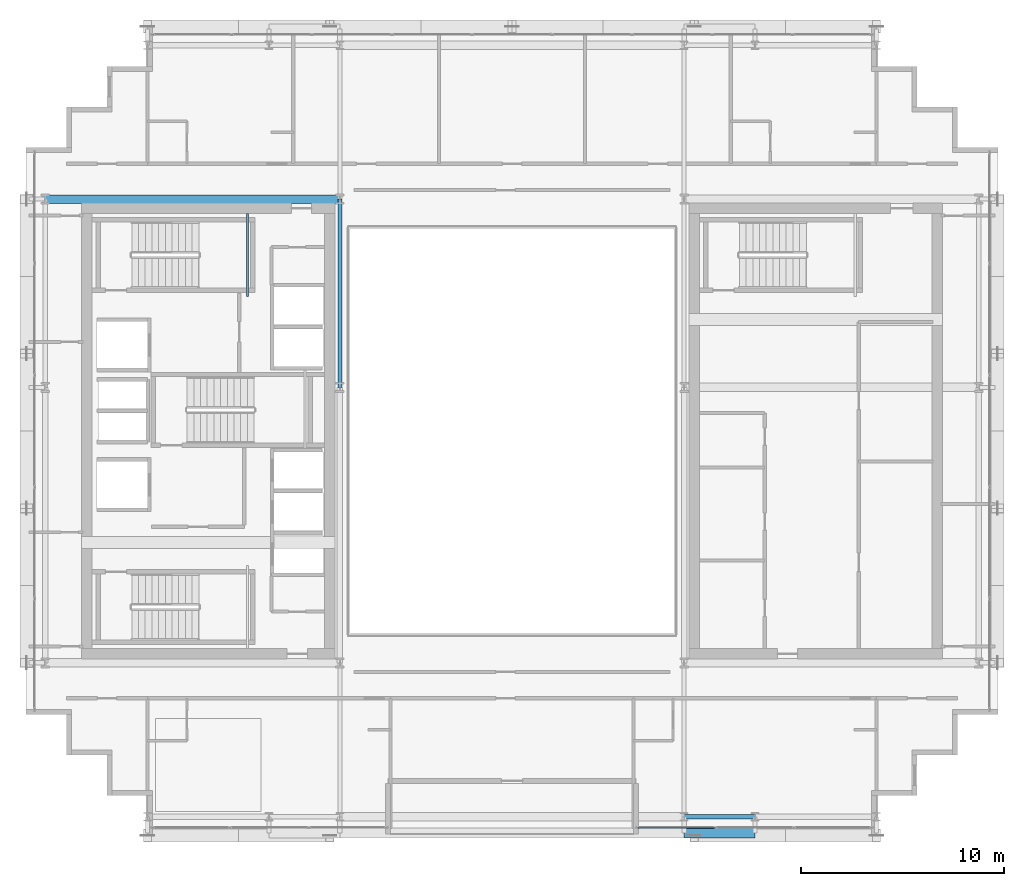
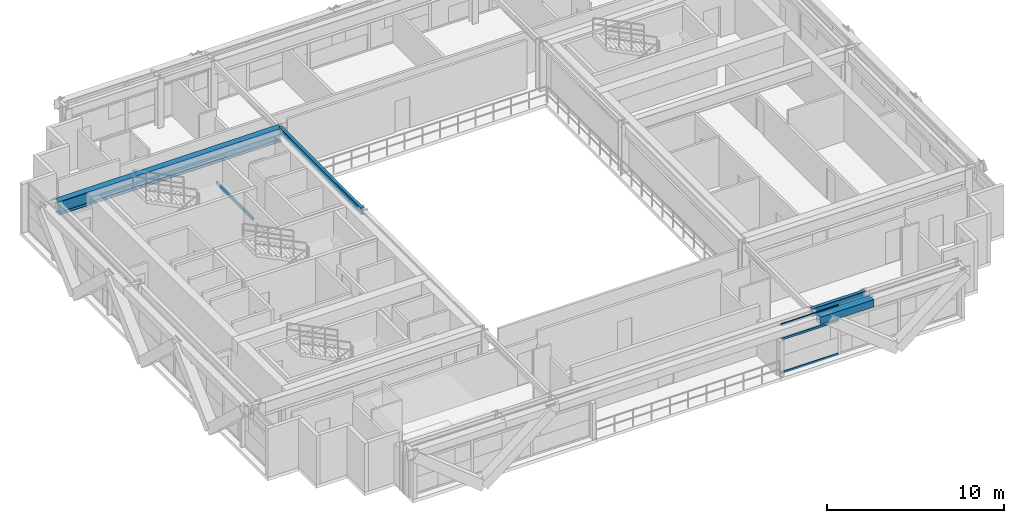
# One storey, part 9 of 31: 5 beams, 3 members, 1 element without a shape of its own.
"""IFC4 building model written with IfcOpenShell, lengths in metres."""

from ifc_helpers import new_model, si_unit, direction, frame, origin, origin_2d, place, context, subcontext, project, spatial, hollow_rectangle, i_section, extrude, source, transform, mapped, material, layer, layer_set, material_profile, profile_set, type_object, element, aggregate, save


model = new_model("IFC4")

# Units and contexts
model_context = context("Model", 3, precision=1e-05, world=origin(), true_north=direction((0.0, 1.0)))
body_context = subcontext(model_context, "Body", "Model", "MODEL_VIEW")
ifc_project = project(units=[si_unit("LENGTHUNIT", "METRE"), si_unit("AREAUNIT", "SQUARE_METRE"), si_unit("VOLUMEUNIT", "CUBIC_METRE"), si_unit("PLANEANGLEUNIT", "RADIAN"), si_unit("MASSUNIT", "GRAM", prefix="KILO")], contexts=[model_context])

# Site, building, storey
site_placement = place(None, origin())
site = spatial("IfcSite", under=ifc_project, at=site_placement, CompositionType="ELEMENT")
building_placement = place(site_placement, origin())
building = spatial("IfcBuilding", under=site, at=building_placement, Name="Ocotamira Hotel", CompositionType="ELEMENT")
storey_placement = place(building_placement, frame((0.0, 0.0, 199.199951171875)))
storey = spatial("IfcBuildingStorey", under=building, at=storey_placement, Name="L50", CompositionType="ELEMENT", Elevation=199.199951171875)

# Beams
ifc_material_1 = material(Name="Steel ASTM A500 Grade C", Category="steel")
ifc_material_profile_1 = material_profile(ifc_material_1, hollow_rectangle(XDim=0.10009765625, YDim=0.199951171875, WallThickness=0.008056640625, at=origin_2d()), Name="HSS200X100X8")
ifc_profile_set_1 = profile_set([ifc_material_profile_1], Name="Steel ASTM A500 Grade C")
beam_type_1 = type_object("IfcBeamType", Name="BM-STLDG-HSS200", PredefinedType="BEAM", material=ifc_profile_set_1)
shared_shape_1 = source(origin(), body_context, "Body", "SweptSolid", [
    extrude(hollow_rectangle(XDim=0.10009765625, YDim=0.199951171875, WallThickness=0.008056640625, at=origin_2d()), origin(), (0.0, 0.0, 1.0), 4.1201171875),
])
beam_1_placement = place(storey_placement, frame((18.949951171875, 32.6298828125, 1.5), z_axis=(0.0, 1.0, 0.0), x_axis=(-1.0, 0.0, 0.0)))
element("IfcBeam", 1, at=beam_1_placement, inside=storey, type_object=beam_type_1, Name="L50 Stair ST-2 Landing Bearer 1", PredefinedType="BEAM", context=body_context, shape_type="MappedRepresentation", body=[
    mapped(shared_shape_1, transform((0.0, 0.0, 0.0), scale=1.0)),
])
ifc_material_2 = material(Name="Steel ASTM A992 Grade 50", Category="steel")
ifc_material_profile_2 = material_profile(ifc_material_2, i_section(OverallWidth=0.41796875, OverallDepth=0.927001953125, WebThickness=0.019287109375, FlangeThickness=0.031982421875, FilletRadius=0.02392578125, at=origin_2d()), Name="W36X231")
ifc_profile_set_2 = profile_set([ifc_material_profile_2], Name="Steel ASTM A992 Grade 50")
beam_type_2 = type_object("IfcBeamType", Name="BM-GIRD-W36X231", PredefinedType="BEAM", material=ifc_profile_set_2)
shared_shape_2 = source(origin(), body_context, "Body", "SweptSolid", [
    extrude(i_section(OverallWidth=0.41796875, OverallDepth=0.927001953125, WebThickness=0.019287109375, FlangeThickness=0.031982421875, FilletRadius=0.02392578125, at=origin_2d()), origin(), (0.0, 0.0, 1.0), 14.550048828125),
])
beam_2_placement = place(storey_placement, frame((8.949951171875, 37.449951171875, 2.906494140625), z_axis=(1.0, 0.0, 0.0), x_axis=(0.0, 1.0, 0.0)))
element("IfcBeam", 2, at=beam_2_placement, inside=storey, type_object=beam_type_2, Name="L50 Girder Y37.45 X8.95-23.5", PredefinedType="BEAM", context=body_context, shape_type="MappedRepresentation", body=[
    mapped(shared_shape_2, transform((0.0, 0.0, 0.0), scale=1.0)),
])
ifc_material_profile_3 = material_profile(ifc_material_2, i_section(OverallWidth=0.2099609375, OverallDepth=0.537109375, WebThickness=0.010986328125, FlangeThickness=0.017333984375, FilletRadius=0.012939453125, at=origin_2d()), Name="W21X68")
ifc_profile_set_3 = profile_set([ifc_material_profile_3], Name="Steel ASTM A992 Grade 50")
beam_type_3 = type_object("IfcBeamType", Name="BM-SEC-W21X68", PredefinedType="JOIST", material=ifc_profile_set_3)
shared_shape_3 = source(origin(), body_context, "Body", "SweptSolid", [
    extrude(i_section(OverallWidth=0.2099609375, OverallDepth=0.537109375, WebThickness=0.010986328125, FlangeThickness=0.017333984375, FilletRadius=0.012939453125, at=origin_2d()), origin(), (0.0, 0.0, 1.0), 3.5),
])
beam_3_placement = place(storey_placement, frame((40.5, 6.949951171875, 3.1015625), z_axis=(1.0, 0.0, 0.0), x_axis=(0.0, 1.0, 0.0)))
element("IfcBeam", 3, at=beam_3_placement, inside=storey, type_object=beam_type_3, Name="L50 Girder Y6.95 X40.5-44", PredefinedType="JOIST", context=body_context, shape_type="MappedRepresentation", body=[
    mapped(shared_shape_3, transform((0.0, 0.0, 0.0), scale=1.0)),
])
ifc_material_profile_4 = material_profile(ifc_material_2, i_section(OverallWidth=0.18994140625, OverallDepth=0.45703125, WebThickness=0.009033203125, FlangeThickness=0.014404296875, FilletRadius=0.010009765625, at=origin_2d()), Name="W18X50")
ifc_profile_set_4 = profile_set([ifc_material_profile_4], Name="Steel ASTM A992 Grade 50")
beam_type_4 = type_object("IfcBeamType", Name="BM-SEC-W18X50", PredefinedType="JOIST", material=ifc_profile_set_4)
shared_shape_4 = source(origin(), body_context, "Body", "SweptSolid", [
    extrude(i_section(OverallWidth=0.18994140625, OverallDepth=0.45703125, WebThickness=0.009033203125, FlangeThickness=0.014404296875, FilletRadius=0.010009765625, at=origin_2d()), origin(), (0.0, 0.0, 1.0), 9.300048828125),
])
beam_4_placement = place(storey_placement, frame((23.5, 28.14990234375, 3.1416015625), z_axis=(0.0, 1.0, 0.0), x_axis=(-1.0, 0.0, 0.0)))
element("IfcBeam", 4, at=beam_4_placement, inside=storey, type_object=beam_type_4, Name="L50 Beam X23.5 Y28.15-37.45", PredefinedType="JOIST", context=body_context, shape_type="MappedRepresentation", body=[
    mapped(shared_shape_4, transform((0.0, 0.0, 0.0), scale=1.0)),
])
ifc_material_profile_5 = material_profile(ifc_material_1, hollow_rectangle(XDim=0.5, YDim=0.5, WallThickness=0.02001953125, at=origin_2d()), Name="HSS500X500X20")
ifc_profile_set_5 = profile_set([ifc_material_profile_5], Name="Steel ASTM A500 Grade C")
beam_type_5 = type_object("IfcBeamType", Name="BM-SPAN-HSS500", PredefinedType="USERDEFINED", material=ifc_profile_set_5)
shared_shape_5 = source(origin(), body_context, "Body", "SweptSolid", [
    extrude(hollow_rectangle(XDim=0.5, YDim=0.5, WallThickness=0.02001953125, at=origin_2d()), origin(), (0.0, 0.0, 1.0), 3.5),
])
beam_5_placement = place(storey_placement, frame((40.5, 6.14990234375, 3.1201171875), z_axis=(1.0, 0.0, 0.0), x_axis=(0.0, 1.0, 0.0)))
element("IfcBeam", 5, at=beam_5_placement, inside=storey, type_object=beam_type_5, Name="L50 Edge Spandrel S X40.5-44", ObjectType="SPANDREL", PredefinedType="USERDEFINED", context=body_context, shape_type="MappedRepresentation", body=[
    mapped(shared_shape_5, transform((0.0, 0.0, 0.0), scale=1.0)),
])

# Curtain wall, members
ifc_material_3 = material(Name="Anodised pale-metal aluminium and solar glass", Category="aluminium")
ifc_layer = layer(ifc_material_3, 0.199951171875)
ifc_layer_set = layer_set([ifc_layer], Name="Anodised pale-metal aluminium and solar glass")
curtain_wall_type = type_object("IfcCurtainWallType", Name="CW-SYS4-Z3", PredefinedType="NOTDEFINED", material=ifc_layer_set)
curtain_wall_placement = place(storey_placement, origin())
curtain_wall = element("IfcCurtainWall", 6, at=curtain_wall_placement, inside=storey, type_object=curtain_wall_type, Name="L50 Curtain Wall CW-4 CW-L50-S2", PredefinedType="NOTDEFINED")
ifc_material_4 = material(Name="Anodised pale-metal aluminium 6063-T6", Category="aluminium")
ifc_material_profile_6 = material_profile(ifc_material_4, hollow_rectangle(XDim=0.074951171875, YDim=0.14990234375, WallThickness=0.006103515625, at=origin_2d()), Name="HSS150X75X6")
ifc_profile_set_6 = profile_set([ifc_material_profile_6], Name="Anodised pale-metal aluminium 6063-T6")
member_type = type_object("IfcMemberType", Name="CWT-150X75", PredefinedType="USERDEFINED", material=ifc_profile_set_6)
shared_shape_6 = source(origin(), body_context, "Body", "SweptSolid", [
    extrude(hollow_rectangle(XDim=0.074951171875, YDim=0.14990234375, WallThickness=0.006103515625, at=origin_2d()), origin(), (0.0, 0.0, 1.0), 3.763427734375),
])
member_1_placement = place(storey_placement, frame((38.22998046875, 6.419921875, 0.03759765625), z_axis=(1.0, 0.0, 0.0), x_axis=(0.0, 1.0, 0.0)))
member_1 = element("IfcMember", 7, at=member_1_placement, type_object=member_type, Name="CW-4 transom 1.1", ObjectType="TRANSOM", PredefinedType="USERDEFINED", context=body_context, shape_type="MappedRepresentation", body=[
    mapped(shared_shape_6, transform((0.0, 0.0, 0.0), scale=1.0)),
])
member_2_placement = place(storey_placement, frame((38.22998046875, 6.419921875, 2.35009765625), z_axis=(1.0, 0.0, 0.0), x_axis=(0.0, 1.0, 0.0)))
member_2 = element("IfcMember", 8, at=member_2_placement, type_object=member_type, Name="CW-4 transom 1.2", ObjectType="TRANSOM", PredefinedType="USERDEFINED", context=body_context, shape_type="MappedRepresentation", body=[
    mapped(shared_shape_6, transform((0.0, 0.0, 0.0), scale=1.0)),
])
member_3_placement = place(storey_placement, frame((38.22998046875, 6.419921875, 3.33251953125), z_axis=(1.0, 0.0, 0.0), x_axis=(0.0, 1.0, 0.0)))
member_3 = element("IfcMember", 9, at=member_3_placement, type_object=member_type, Name="CW-4 transom 1.3", ObjectType="TRANSOM", PredefinedType="USERDEFINED", context=body_context, shape_type="MappedRepresentation", body=[
    mapped(shared_shape_6, transform((0.0, 0.0, 0.0), scale=1.0)),
])
aggregate(curtain_wall, [member_1, member_2, member_3])

save(model, "model.ifc")
